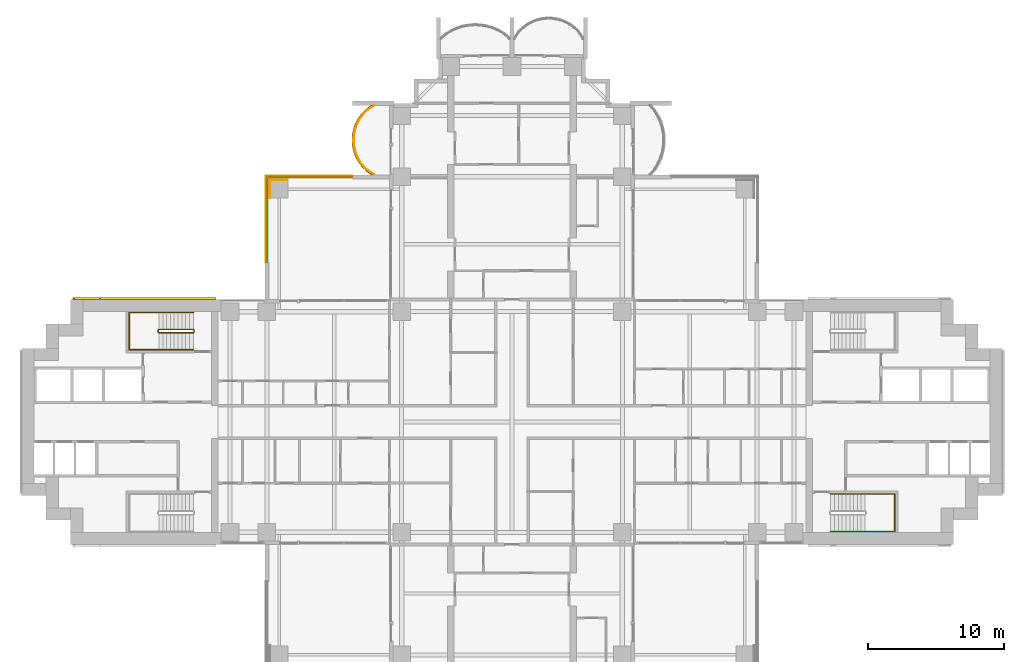
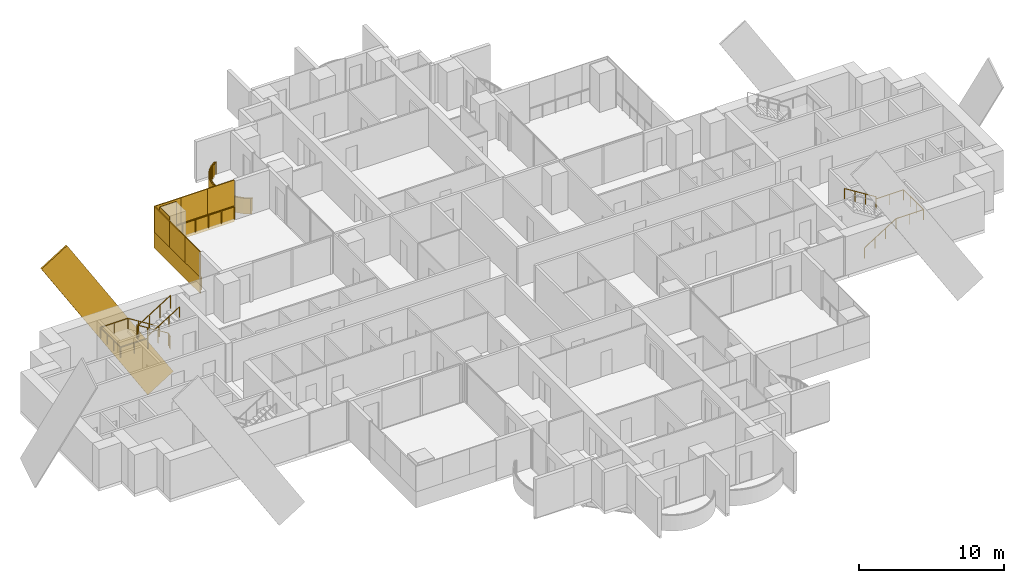
# One storey, part 20 of 22: 11 coverings, 5 railings.
"""IFC4 building model written with IfcOpenShell, lengths in metres."""

from ifc_helpers import new_model, si_unit, direction, frame, origin, origin_2d, place, context, subcontext, project, spatial, polyline, rectangle, outline, extrude, material, layer, layer_set, material_profile, profile_set, type_object, element, save


model = new_model("IFC4")

# Units and contexts
model_context = context("Model", 3, precision=1e-05, world=origin(), true_north=direction((0.0, 1.0)))
body_context = subcontext(model_context, "Body", "Model", "MODEL_VIEW")
ifc_project = project(units=[si_unit("LENGTHUNIT", "METRE"), si_unit("AREAUNIT", "SQUARE_METRE"), si_unit("VOLUMEUNIT", "CUBIC_METRE"), si_unit("PLANEANGLEUNIT", "RADIAN"), si_unit("MASSUNIT", "GRAM", prefix="KILO")], contexts=[model_context])

# Site, building, storey
site_placement = place(None, origin())
site = spatial("IfcSite", under=ifc_project, at=site_placement, CompositionType="ELEMENT")
building_placement = place(site_placement, origin())
building = spatial("IfcBuilding", under=site, at=building_placement, Name="Perihelion Cross Residences", CompositionType="ELEMENT")
storey_placement = place(building_placement, frame((0.0, 0.0, 50.5)))
storey = spatial("IfcBuildingStorey", under=building, at=storey_placement, Name="L09", CompositionType="ELEMENT", Elevation=50.5)

# Covering
ifc_material_1 = material(Name="Bronze anodised aluminium", Category="aluminium")
ifc_layer_1 = layer(ifc_material_1, 0.070068359375)
ifc_layer_set_1 = layer_set([ifc_layer_1], Name="Balcony fascia 1300")
covering_type_1 = type_object("IfcCoveringType", Name="Balcony fascia 1300", PredefinedType="CLADDING", material=ifc_layer_set_1)
covering_1_placement = place(storey_placement, frame((0.0, 0.0, -0.199951171875)))
element("IfcCovering", 1, at=covering_1_placement, inside=storey, type_object=covering_type_1, Name="Fascia BF1 L09 north side west bay 1", PredefinedType="CLADDING", context=body_context, shape_type="SweptSolid", body=[
    extrude(outline(polyline([(-10.722412109375, 22.963134765625), (-11.060791015625, 22.61474609375), (-11.308837890625, 22.2666015625), (-11.4912109375, 21.91845703125), (-11.620361328125, 21.5703125), (-11.703369140625, 21.22216796875), (-11.743896484375, 20.8740234375), (-11.743896484375, 20.52587890625), (-11.703369140625, 20.177734375), (-11.620361328125, 19.82958984375), (-11.4912109375, 19.4814453125), (-11.308837890625, 19.13330078125), (-11.060791015625, 18.78515625), (-10.722412109375, 18.43701171875), (-10.320556640625, 18.14990234375), (-10.199951171875, 18.14990234375), (-10.6767578125, 18.489990234375), (-11.007080078125, 18.830078125), (-11.2490234375, 19.169921875), (-11.42724609375, 19.510009765625), (-11.553466796875, 19.85009765625), (-11.63427734375, 20.18994140625), (-11.674072265625, 20.530029296875), (-11.674072265625, 20.8701171875), (-11.63427734375, 21.2099609375), (-11.553466796875, 21.550048828125), (-11.42724609375, 21.889892578125), (-11.2490234375, 22.22998046875), (-11.007080078125, 22.570068359375), (-10.6767578125, 22.909912109375), (-10.199951171875, 23.25), (-10.320556640625, 23.25), (-10.722412109375, 22.963134765625)])), origin(), (0.0, 0.0, 1.0), 1.300048828125),
])

# Railings
ifc_material_2 = material(Name="Bronze anodised aluminium", Category="aluminium")
railing_type_1 = type_object("IfcRailingType", Name="Balcony guard 1100", PredefinedType="GUARDRAIL", material=ifc_material_2)
railing_1_placement = place(storey_placement, frame((-10.139892578125, 23.22509765625, 0.0)))
element("IfcRailing", 2, at=railing_1_placement, inside=storey, type_object=railing_type_1, Name="Guard GU1 L09 north side west bay 1 balcony", PredefinedType="GUARDRAIL", context=body_context, shape_type="SweptSolid", body=[
    extrude(rectangle(XDim=0.048095703125, YDim=0.048095703125, at=origin_2d()), frame((0.0, 0.0, 1.076171875), z_axis=(-0.834212513801, -0.55144309028, 0.0), x_axis=(0.55144309028, -0.834212513801, 0.0)), (0.0, 0.0, 1.0), 0.571533203125),
    extrude(rectangle(XDim=0.048095703125, YDim=0.048095703125, at=origin_2d()), frame((-0.476806640625, -0.315185546875, 1.076171875), z_axis=(-0.696990112603, -0.717080736691, 0.0), x_axis=(0.717080736691, -0.696990112603, 0.0)), (0.0, 0.0, 1.0), 0.473876953125),
    extrude(rectangle(XDim=0.048095703125, YDim=0.048095703125, at=origin_2d()), frame((-0.80712890625, -0.655029296875, 1.076171875), z_axis=(-0.580075995532, -0.814562360662, 0.0), x_axis=(0.814562360662, -0.580075995532, 0.0)), (0.0, 0.0, 1.0), 0.41748046875),
    extrude(rectangle(XDim=0.048095703125, YDim=0.048095703125, at=origin_2d()), frame((-1.04931640625, -0.9951171875, 1.076171875), z_axis=(-0.463674228502, -0.886005761733, 0.0), x_axis=(0.886005761733, -0.463674228502, 0.0)), (0.0, 0.0, 1.0), 0.3837890625),
    extrude(rectangle(XDim=0.048095703125, YDim=0.048095703125, at=origin_2d()), frame((-1.227294921875, -1.335205078125, 1.076171875), z_axis=(-0.348169621027, -0.937431552165, 0.0), x_axis=(0.937431552165, -0.348169621027, 0.0)), (0.0, 0.0, 1.0), 0.362548828125),
    extrude(rectangle(XDim=0.048095703125, YDim=0.048095703125, at=origin_2d()), frame((-1.353515625, -1.675048828125, 1.076171875), z_axis=(-0.231840805498, -0.972753741142, 0.0), x_axis=(0.972753741142, -0.231840805498, 0.0)), (0.0, 0.0, 1.0), 0.349609375),
    extrude(rectangle(XDim=0.048095703125, YDim=0.048095703125, at=origin_2d()), frame((-1.4345703125, -2.01513671875, 1.076171875), z_axis=(-0.11559909788, -0.993295952156, 0.0), x_axis=(0.993295952156, -0.11559909788, 0.0)), (0.0, 0.0, 1.0), 0.342041015625),
    extrude(rectangle(XDim=0.048095703125, YDim=0.048095703125, at=origin_2d()), frame((-1.47412109375, -2.35498046875, 1.076171875), z_axis=(0.0, -1.0, 0.0), x_axis=(1.0, 0.0, 0.0)), (0.0, 0.0, 1.0), 0.340087890625),
    extrude(rectangle(XDim=0.048095703125, YDim=0.048095703125, at=origin_2d()), frame((-1.47412109375, -2.695068359375, 1.076171875), z_axis=(0.11551721994, -0.993305477634, 0.0), x_axis=(0.993305477634, 0.11551721994, 0.0)), (0.0, 0.0, 1.0), 0.34228515625),
    extrude(rectangle(XDim=0.048095703125, YDim=0.048095703125, at=origin_2d()), frame((-1.4345703125, -3.03515625, 1.076171875), z_axis=(0.231998396458, -0.972716168284, 0.0), x_axis=(0.972716168284, 0.231998396458, 0.0)), (0.0, 0.0, 1.0), 0.349365234375),
    extrude(rectangle(XDim=0.048095703125, YDim=0.048095703125, at=origin_2d()), frame((-1.353515625, -3.375, 1.076171875), z_axis=(0.347949948587, -0.93751311099, 0.0), x_axis=(0.93751311099, 0.347949948587, 0.0)), (0.0, 0.0, 1.0), 0.36279296875),
    extrude(rectangle(XDim=0.048095703125, YDim=0.048095703125, at=origin_2d()), frame((-1.227294921875, -3.715087890625, 1.076171875), z_axis=(0.463674228502, -0.886005761733, 0.0), x_axis=(0.886005761733, 0.463674228502, 0.0)), (0.0, 0.0, 1.0), 0.3837890625),
    extrude(rectangle(XDim=0.048095703125, YDim=0.048095703125, at=origin_2d()), frame((-1.04931640625, -4.05517578125, 1.076171875), z_axis=(0.580352394782, -0.814365457194, 0.0), x_axis=(0.814365457194, 0.580352394782, 0.0)), (0.0, 0.0, 1.0), 0.417236328125),
    extrude(rectangle(XDim=0.048095703125, YDim=0.048095703125, at=origin_2d()), frame((-0.80712890625, -4.39501953125, 1.076171875), z_axis=(0.69673269466, -0.717330852669, 0.0), x_axis=(0.717330852669, 0.69673269466, 0.0)), (0.0, 0.0, 1.0), 0.47412109375),
    extrude(rectangle(XDim=0.048095703125, YDim=0.048095703125, at=origin_2d()), frame((-0.476806640625, -4.735107421875, 1.076171875), z_axis=(0.834409002258, -0.551145731138, 0.0), x_axis=(0.551145731138, 0.834409002258, 0.0)), (0.0, 0.0, 1.0), 0.571533203125),
    extrude(rectangle(XDim=0.0419921875, YDim=0.0419921875, at=origin_2d()), origin(), (0.0, 0.0, 1.0), 1.052001953125),
    extrude(rectangle(XDim=0.0419921875, YDim=0.0419921875, at=origin_2d()), frame((-0.476806640625, -0.315185546875, 0.0)), (0.0, 0.0, 1.0), 1.052001953125),
    extrude(rectangle(XDim=0.0419921875, YDim=0.0419921875, at=origin_2d()), frame((-0.80712890625, -0.655029296875, 0.0)), (0.0, 0.0, 1.0), 1.052001953125),
    extrude(rectangle(XDim=0.0419921875, YDim=0.0419921875, at=origin_2d()), frame((-1.04931640625, -0.9951171875, 0.0)), (0.0, 0.0, 1.0), 1.052001953125),
    extrude(rectangle(XDim=0.0419921875, YDim=0.0419921875, at=origin_2d()), frame((-1.227294921875, -1.335205078125, 0.0)), (0.0, 0.0, 1.0), 1.052001953125),
    extrude(rectangle(XDim=0.0419921875, YDim=0.0419921875, at=origin_2d()), frame((-1.353515625, -1.675048828125, 0.0)), (0.0, 0.0, 1.0), 1.052001953125),
    extrude(rectangle(XDim=0.0419921875, YDim=0.0419921875, at=origin_2d()), frame((-1.4345703125, -2.01513671875, 0.0)), (0.0, 0.0, 1.0), 1.052001953125),
    extrude(rectangle(XDim=0.0419921875, YDim=0.0419921875, at=origin_2d()), frame((-1.47412109375, -2.35498046875, 0.0)), (0.0, 0.0, 1.0), 1.052001953125),
    extrude(rectangle(XDim=0.0419921875, YDim=0.0419921875, at=origin_2d()), frame((-1.47412109375, -2.695068359375, 0.0)), (0.0, 0.0, 1.0), 1.052001953125),
    extrude(rectangle(XDim=0.0419921875, YDim=0.0419921875, at=origin_2d()), frame((-1.4345703125, -3.03515625, 0.0)), (0.0, 0.0, 1.0), 1.052001953125),
    extrude(rectangle(XDim=0.0419921875, YDim=0.0419921875, at=origin_2d()), frame((-1.353515625, -3.375, 0.0)), (0.0, 0.0, 1.0), 1.052001953125),
    extrude(rectangle(XDim=0.0419921875, YDim=0.0419921875, at=origin_2d()), frame((-1.227294921875, -3.715087890625, 0.0)), (0.0, 0.0, 1.0), 1.052001953125),
    extrude(rectangle(XDim=0.0419921875, YDim=0.0419921875, at=origin_2d()), frame((-1.04931640625, -4.05517578125, 0.0)), (0.0, 0.0, 1.0), 1.052001953125),
    extrude(rectangle(XDim=0.0419921875, YDim=0.0419921875, at=origin_2d()), frame((-0.80712890625, -4.39501953125, 0.0)), (0.0, 0.0, 1.0), 1.052001953125),
    extrude(rectangle(XDim=0.0419921875, YDim=0.0419921875, at=origin_2d()), frame((-0.476806640625, -4.735107421875, 0.0)), (0.0, 0.0, 1.0), 1.052001953125),
    extrude(rectangle(XDim=0.0419921875, YDim=0.0419921875, at=origin_2d()), frame((0.0, -5.050048828125, 0.0)), (0.0, 0.0, 1.0), 1.052001953125),
])
railing_2_placement = place(storey_placement, frame((-17.93994140625, 11.739990234375, 0.0)))
element("IfcRailing", 3, at=railing_2_placement, inside=storey, type_object=railing_type_1, Name="Guard GU1 L09 pocket north-west 1", PredefinedType="GUARDRAIL", context=body_context, shape_type="SweptSolid", body=[
    extrude(rectangle(XDim=0.048095703125, YDim=0.048095703125, at=origin_2d()), frame((0.0, 0.0, 1.076171875), z_axis=(0.0, 1.0, 0.0), x_axis=(-1.0, 0.0, 0.0)), (0.0, 0.0, 1.0), 6.199951171875),
    extrude(rectangle(XDim=0.048095703125, YDim=0.048095703125, at=origin_2d()), frame((0.0, 6.199951171875, 1.076171875), z_axis=(1.0, 0.0, 0.0), x_axis=(0.0, 1.0, 0.0)), (0.0, 0.0, 1.0), 6.199951171875),
    extrude(rectangle(XDim=0.0419921875, YDim=0.0419921875, at=origin_2d()), origin(), (0.0, 0.0, 1.0), 1.052001953125),
    extrude(rectangle(XDim=0.0419921875, YDim=0.0419921875, at=origin_2d()), frame((0.0, 1.033203125, 0.0)), (0.0, 0.0, 1.0), 1.052001953125),
    extrude(rectangle(XDim=0.0419921875, YDim=0.0419921875, at=origin_2d()), frame((0.0, 2.066650390625, 0.0)), (0.0, 0.0, 1.0), 1.052001953125),
    extrude(rectangle(XDim=0.0419921875, YDim=0.0419921875, at=origin_2d()), frame((0.0, 3.10009765625, 0.0)), (0.0, 0.0, 1.0), 1.052001953125),
    extrude(rectangle(XDim=0.0419921875, YDim=0.0419921875, at=origin_2d()), frame((0.0, 4.13330078125, 0.0)), (0.0, 0.0, 1.0), 1.052001953125),
    extrude(rectangle(XDim=0.0419921875, YDim=0.0419921875, at=origin_2d()), frame((0.0, 5.16650390625, 0.0)), (0.0, 0.0, 1.0), 1.052001953125),
    extrude(rectangle(XDim=0.0419921875, YDim=0.0419921875, at=origin_2d()), frame((0.0, 6.199951171875, 0.0)), (0.0, 0.0, 1.0), 1.052001953125),
    extrude(rectangle(XDim=0.0419921875, YDim=0.0419921875, at=origin_2d()), frame((1.033203125, 6.199951171875, 0.0)), (0.0, 0.0, 1.0), 1.052001953125),
    extrude(rectangle(XDim=0.0419921875, YDim=0.0419921875, at=origin_2d()), frame((2.066650390625, 6.199951171875, 0.0)), (0.0, 0.0, 1.0), 1.052001953125),
    extrude(rectangle(XDim=0.0419921875, YDim=0.0419921875, at=origin_2d()), frame((3.10009765625, 6.199951171875, 0.0)), (0.0, 0.0, 1.0), 1.052001953125),
    extrude(rectangle(XDim=0.0419921875, YDim=0.0419921875, at=origin_2d()), frame((4.13330078125, 6.199951171875, 0.0)), (0.0, 0.0, 1.0), 1.052001953125),
    extrude(rectangle(XDim=0.0419921875, YDim=0.0419921875, at=origin_2d()), frame((5.16650390625, 6.199951171875, 0.0)), (0.0, 0.0, 1.0), 1.052001953125),
    extrude(rectangle(XDim=0.0419921875, YDim=0.0419921875, at=origin_2d()), frame((6.199951171875, 6.199951171875, 0.0)), (0.0, 0.0, 1.0), 1.052001953125),
])

# Coverings
ifc_material_3 = material(Name="Bronze anodised aluminium", Category="aluminium")
ifc_material_profile = material_profile(ifc_material_3, rectangle(XDim=0.125, YDim=2.39990234375, at=origin_2d()), Name="Bronze cladding band 2400")
ifc_profile_set = profile_set([ifc_material_profile], Name="Bronze anodised aluminium")
covering_type_2 = type_object("IfcCoveringType", Name="Bronze cladding band 2400", PredefinedType="CLADDING", material=ifc_profile_set)
covering_2_placement = place(storey_placement, frame((-22.767578125, 9.0625, -4.509765625), z_axis=(-0.529924750763, 0.0, 0.848044667767), x_axis=(0.0, -1.0, 0.0)))
element("IfcCovering", 4, at=covering_2_placement, inside=storey, type_object=covering_type_2, Name="Core cladding band, west core", PredefinedType="CLADDING", context=body_context, shape_type="SweptSolid", body=[
    extrude(rectangle(XDim=0.125, YDim=2.39990234375, at=origin_2d()), origin(), (0.0, 0.0, 1.0), 15.9736328125),
])
ifc_material_4 = material(Name="Bronze anodised aluminium", Category="aluminium")
ifc_layer_2 = layer(ifc_material_4, 0.0400390625)
ifc_layer_set_2 = layer_set([ifc_layer_2], Name="Bronze column casing 40")
covering_type_3 = type_object("IfcCoveringType", Name="Bronze column casing 40", PredefinedType="CLADDING", material=ifc_layer_set_2)
covering_3_placement = place(storey_placement, frame((-17.77001953125, 17.10009765625, -0.25), z_axis=(0.0, 0.0, 1.0), x_axis=(1.0, 0.0, 0.0)))
element("IfcCovering", 5, at=covering_3_placement, inside=storey, type_object=covering_type_3, Name="Cladding CC1 L09 casing east-west no. 2", PredefinedType="CLADDING", context=body_context, shape_type="SweptSolid", body=[
    extrude(rectangle(XDim=0.0400390625, YDim=1.3798828125, at=origin_2d()), origin(), (0.0, 0.0, 1.0), 3.5),
])
covering_4_placement = place(storey_placement, frame((-17.10009765625, 17.77001953125, -0.25), z_axis=(0.0, 0.0, 1.0), x_axis=(1.0, 0.0, 0.0)))
element("IfcCovering", 6, at=covering_4_placement, inside=storey, type_object=covering_type_3, Name="Cladding CC1 L09 casing north-south no. 2", PredefinedType="CLADDING", context=body_context, shape_type="SweptSolid", body=[
    extrude(rectangle(XDim=1.300048828125, YDim=0.0400390625, at=origin_2d()), origin(), (0.0, 0.0, 1.0), 3.5),
])
ifc_material_5 = material(Name="Bronze anodised aluminium", Category="aluminium")
ifc_layer_3 = layer(ifc_material_5, 0.070068359375)
ifc_layer_set_3 = layer_set([ifc_layer_3], Name="Pocket fascia 1350")
covering_type_4 = type_object("IfcCoveringType", Name="Pocket fascia 1350", PredefinedType="CLADDING", material=ifc_layer_set_3)
covering_5_placement = place(storey_placement, frame((0.0, 0.0, -0.25)))
element("IfcCovering", 7, at=covering_5_placement, inside=storey, type_object=covering_type_4, Name="Fascia BF2 L09 pocket north-west 3", PredefinedType="CLADDING", context=body_context, shape_type="SweptSolid", body=[
    extrude(outline(polyline([(-18.070068359375, 18.070068359375), (-18.070068359375, 11.699951171875), (-18.0, 11.699951171875), (-18.0, 18.0), (-11.699951171875, 18.0), (-11.699951171875, 18.070068359375), (-18.070068359375, 18.070068359375)])), origin(), (0.0, 0.0, 1.0), 1.35009765625),
])
ifc_material_6 = material(Name="Bronze perforated aluminium", Category="aluminium")
ifc_layer_4 = layer(ifc_material_6, 0.070068359375)
ifc_layer_set_4 = layer_set([ifc_layer_4], Name="Pocket solar screen, bronze perforated")
covering_type_5 = type_object("IfcCoveringType", Name="Pocket solar screen, bronze perforated", PredefinedType="CLADDING", material=ifc_layer_set_4)
covering_6_placement = place(storey_placement, frame((0.0, 0.0, 1.10009765625)))
element("IfcCovering", 8, at=covering_6_placement, inside=storey, type_object=covering_type_5, Name="Solar screen PS1 L09 pocket north-west no. 1", PredefinedType="CLADDING", context=body_context, shape_type="SweptSolid", body=[
    extrude(outline(polyline([(-18.0, 11.699951171875), (-18.0, 13.800048828125), (-18.070068359375, 13.800048828125), (-18.070068359375, 11.699951171875), (-18.0, 11.699951171875)])), origin(), (0.0, 0.0, 1.0), 2.14990234375),
])
covering_7_placement = place(storey_placement, frame((0.0, 0.0, 1.10009765625)))
element("IfcCovering", 9, at=covering_7_placement, inside=storey, type_object=covering_type_5, Name="Solar screen PS1 L09 pocket north-west no. 2", PredefinedType="CLADDING", context=body_context, shape_type="SweptSolid", body=[
    extrude(outline(polyline([(-18.0, 13.800048828125), (-18.0, 15.89990234375), (-18.070068359375, 15.89990234375), (-18.070068359375, 13.800048828125), (-18.0, 13.800048828125)])), origin(), (0.0, 0.0, 1.0), 2.14990234375),
])
covering_8_placement = place(storey_placement, frame((0.0, 0.0, 1.10009765625)))
element("IfcCovering", 10, at=covering_8_placement, inside=storey, type_object=covering_type_5, Name="Solar screen PS1 L09 pocket north-west no. 3", PredefinedType="CLADDING", context=body_context, shape_type="SweptSolid", body=[
    extrude(outline(polyline([(-18.0, 15.89990234375), (-18.0, 18.0), (-18.070068359375, 18.0), (-18.070068359375, 15.89990234375), (-18.0, 15.89990234375)])), origin(), (0.0, 0.0, 1.0), 2.14990234375),
])
covering_9_placement = place(storey_placement, frame((0.0, 0.0, 1.10009765625)))
element("IfcCovering", 11, at=covering_9_placement, inside=storey, type_object=covering_type_5, Name="Solar screen PS1 L09 pocket north-west no. 4", PredefinedType="CLADDING", context=body_context, shape_type="SweptSolid", body=[
    extrude(outline(polyline([(-15.94677734375, 18.0), (-15.94677734375, 18.070068359375), (-18.070068359375, 18.070068359375), (-18.070068359375, 18.0), (-15.94677734375, 18.0)])), origin(), (0.0, 0.0, 1.0), 2.14990234375),
])
covering_10_placement = place(storey_placement, frame((0.0, 0.0, 1.10009765625)))
element("IfcCovering", 12, at=covering_10_placement, inside=storey, type_object=covering_type_5, Name="Solar screen PS1 L09 pocket north-west no. 5", PredefinedType="CLADDING", context=body_context, shape_type="SweptSolid", body=[
    extrude(outline(polyline([(-13.8232421875, 18.0), (-13.8232421875, 18.070068359375), (-15.94677734375, 18.070068359375), (-15.94677734375, 18.0), (-13.8232421875, 18.0)])), origin(), (0.0, 0.0, 1.0), 2.14990234375),
])
covering_11_placement = place(storey_placement, frame((0.0, 0.0, 1.10009765625)))
element("IfcCovering", 13, at=covering_11_placement, inside=storey, type_object=covering_type_5, Name="Solar screen PS1 L09 pocket north-west no. 6", PredefinedType="CLADDING", context=body_context, shape_type="SweptSolid", body=[
    extrude(outline(polyline([(-11.699951171875, 18.0), (-11.699951171875, 18.070068359375), (-13.8232421875, 18.070068359375), (-13.8232421875, 18.0), (-11.699951171875, 18.0)])), origin(), (0.0, 0.0, 1.0), 2.14990234375),
])

# Railings
ifc_material_7 = material(Name="Stainless steel", Category="steel")
railing_type_2 = type_object("IfcRailingType", Name="Stair guard 1100", PredefinedType="GUARDRAIL", material=ifc_material_7)
railing_3_placement = place(storey_placement, frame((-23.35009765625, 6.60009765625, 0.0)))
element("IfcRailing", 14, at=railing_3_placement, inside=storey, type_object=railing_type_2, Name="L09 ST-W1 stair guard 1", PredefinedType="GUARDRAIL", context=body_context, shape_type="SweptSolid", body=[
    extrude(rectangle(XDim=0.048095703125, YDim=0.048095703125, at=origin_2d()), frame((0.0, 0.0, 1.076171875), z_axis=(0.0, 1.0, 0.0), x_axis=(-1.0, 0.0, 0.0)), (0.0, 0.0, 1.0), 0.14990234375),
    extrude(rectangle(XDim=0.048095703125, YDim=0.048095703125, at=origin_2d()), frame((0.0, 0.14990234375, 1.076171875), z_axis=(-0.263862480399, 0.265155923931, 0.927399011991), x_axis=(-0.708833529934, -0.705375805398, 0.0)), (0.0, 0.0, 1.0), 0.188720703125),
    extrude(rectangle(XDim=0.048095703125, YDim=0.048095703125, at=origin_2d()), frame((-0.0498046875, 0.199951171875, 1.2509765625), z_axis=(-0.848007534815, 0.0, 0.529984170421), x_axis=(0.0, -1.0, 0.0)), (0.0, 0.0, 1.0), 2.9716796875),
    extrude(rectangle(XDim=0.048095703125, YDim=0.048095703125, at=origin_2d()), frame((-2.56982421875, 0.199951171875, 2.826171875), z_axis=(-0.707106781187, -0.707106781187, 0.0), x_axis=(0.707106781187, -0.707106781187, 0.0)), (0.0, 0.0, 1.0), 0.07080078125),
    extrude(rectangle(XDim=0.048095703125, YDim=0.048095703125, at=origin_2d()), frame((-2.619873046875, 0.14990234375, 2.826171875), z_axis=(0.0, -1.0, 0.0), x_axis=(1.0, 0.0, 0.0)), (0.0, 0.0, 1.0), 0.14990234375),
    extrude(rectangle(XDim=0.048095703125, YDim=0.048095703125, at=origin_2d()), frame((-2.619873046875, 0.0, 2.826171875), z_axis=(0.265065253269, -0.265065253269, 0.927081885822), x_axis=(0.707106781187, 0.707106781187, 0.0)), (0.0, 0.0, 1.0), 0.188720703125),
    extrude(rectangle(XDim=0.048095703125, YDim=0.048095703125, at=origin_2d()), frame((-2.56982421875, -0.050048828125, 3.0009765625), z_axis=(0.848007534815, 0.0, 0.529984170421), x_axis=(0.0, 1.0, 0.0)), (0.0, 0.0, 1.0), 2.9716796875),
    extrude(rectangle(XDim=0.0419921875, YDim=0.0419921875, at=origin_2d()), origin(), (0.0, 0.0, 1.0), 1.052001953125),
    extrude(rectangle(XDim=0.0419921875, YDim=0.0419921875, at=origin_2d()), frame((0.0, 0.14990234375, 0.0)), (0.0, 0.0, 1.0), 1.052001953125),
    extrude(rectangle(XDim=0.0419921875, YDim=0.0419921875, at=origin_2d()), frame((-0.0498046875, 0.199951171875, 0.175048828125)), (0.0, 0.0, 1.0), 1.052001953125),
    extrude(rectangle(XDim=0.0419921875, YDim=0.0419921875, at=origin_2d()), frame((-0.889892578125, 0.199951171875, 0.699951171875)), (0.0, 0.0, 1.0), 1.052001953125),
    extrude(rectangle(XDim=0.0419921875, YDim=0.0419921875, at=origin_2d()), frame((-1.729736328125, 0.199951171875, 1.22509765625)), (0.0, 0.0, 1.0), 1.052001953125),
    extrude(rectangle(XDim=0.0419921875, YDim=0.0419921875, at=origin_2d()), frame((-2.56982421875, 0.199951171875, 1.75)), (0.0, 0.0, 1.0), 1.052001953125),
    extrude(rectangle(XDim=0.0419921875, YDim=0.0419921875, at=origin_2d()), frame((-2.619873046875, 0.14990234375, 1.75)), (0.0, 0.0, 1.0), 1.052001953125),
    extrude(rectangle(XDim=0.0419921875, YDim=0.0419921875, at=origin_2d()), frame((-2.619873046875, 0.0, 1.75)), (0.0, 0.0, 1.0), 1.052001953125),
    extrude(rectangle(XDim=0.0419921875, YDim=0.0419921875, at=origin_2d()), frame((-2.56982421875, -0.050048828125, 1.925048828125)), (0.0, 0.0, 1.0), 1.052001953125),
    extrude(rectangle(XDim=0.0419921875, YDim=0.0419921875, at=origin_2d()), frame((-1.729736328125, -0.050048828125, 2.449951171875)), (0.0, 0.0, 1.0), 1.052001953125),
    extrude(rectangle(XDim=0.0419921875, YDim=0.0419921875, at=origin_2d()), frame((-0.889892578125, -0.050048828125, 2.97509765625)), (0.0, 0.0, 1.0), 1.052001953125),
    extrude(rectangle(XDim=0.0419921875, YDim=0.0419921875, at=origin_2d()), frame((-0.0498046875, -0.050048828125, 3.5)), (0.0, 0.0, 1.0), 1.052001953125),
])
ifc_material_8 = material(Name="Stainless steel", Category="steel")
railing_type_3 = type_object("IfcRailingType", Name="Stair handrail 900", PredefinedType="HANDRAIL", material=ifc_material_8)
railing_4_placement = place(storey_placement, frame((23.39990234375, -8.050048828125, 0.175048828125)))
element("IfcRailing", 15, at=railing_4_placement, inside=storey, type_object=railing_type_3, Name="L09 ST-E2 stair handrail 1", PredefinedType="HANDRAIL", context=body_context, shape_type="SweptSolid", body=[
    extrude(rectangle(XDim=0.048095703125, YDim=0.048095703125, at=origin_2d()), frame((0.0, 0.0, 0.8759765625), z_axis=(0.848007534815, 0.0, 0.529984170421), x_axis=(0.0, 1.0, 0.0)), (0.0, 0.0, 1.0), 2.9716796875),
    extrude(rectangle(XDim=0.048095703125, YDim=0.048095703125, at=origin_2d()), frame((2.52001953125, 0.0, 2.45068359375), z_axis=(1.0, 0.0, 0.0), x_axis=(0.0, 1.0, 0.0)), (0.0, 0.0, 1.0), 2.18017578125),
    extrude(rectangle(XDim=0.048095703125, YDim=0.048095703125, at=origin_2d()), frame((4.7001953125, 0.0, 2.45068359375), z_axis=(0.0, 1.0, 0.0), x_axis=(-1.0, 0.0, 0.0)), (0.0, 0.0, 1.0), 2.75),
    extrude(rectangle(XDim=0.048095703125, YDim=0.048095703125, at=origin_2d()), frame((4.7001953125, 2.75, 2.45068359375), z_axis=(-1.0, 0.0, 0.0), x_axis=(0.0, -1.0, 0.0)), (0.0, 0.0, 1.0), 2.18017578125),
    extrude(rectangle(XDim=0.048095703125, YDim=0.048095703125, at=origin_2d()), frame((2.52001953125, 2.75, 2.45068359375), z_axis=(0.0, 0.0, 1.0), x_axis=(1.0, 0.0, 0.0)), (0.0, 0.0, 1.0), 0.175048828125),
    extrude(rectangle(XDim=0.048095703125, YDim=0.048095703125, at=origin_2d()), frame((2.52001953125, 2.75, 2.6259765625), z_axis=(-0.848007534815, 0.0, 0.529984170421), x_axis=(0.0, -1.0, 0.0)), (0.0, 0.0, 1.0), 2.9716796875),
    extrude(rectangle(XDim=0.0419921875, YDim=0.0419921875, at=origin_2d()), origin(), (0.0, 0.0, 1.0), 0.851806640625),
    extrude(rectangle(XDim=0.0419921875, YDim=0.0419921875, at=origin_2d()), frame((0.840087890625, 0.0, 0.52490234375)), (0.0, 0.0, 1.0), 0.851806640625),
    extrude(rectangle(XDim=0.0419921875, YDim=0.0419921875, at=origin_2d()), frame((1.679931640625, 0.0, 1.050048828125)), (0.0, 0.0, 1.0), 0.851806640625),
    extrude(rectangle(XDim=0.0419921875, YDim=0.0419921875, at=origin_2d()), frame((2.52001953125, 0.0, 1.574951171875)), (0.0, 0.0, 1.0), 0.851806640625),
    extrude(rectangle(XDim=0.0419921875, YDim=0.0419921875, at=origin_2d()), frame((3.610107421875, 0.0, 1.574951171875)), (0.0, 0.0, 1.0), 0.851806640625),
    extrude(rectangle(XDim=0.0419921875, YDim=0.0419921875, at=origin_2d()), frame((4.7001953125, 0.0, 1.574951171875)), (0.0, 0.0, 1.0), 0.851806640625),
    extrude(rectangle(XDim=0.0419921875, YDim=0.0419921875, at=origin_2d()), frame((4.7001953125, 0.916748046875, 1.574951171875)), (0.0, 0.0, 1.0), 0.851806640625),
    extrude(rectangle(XDim=0.0419921875, YDim=0.0419921875, at=origin_2d()), frame((4.7001953125, 1.833251953125, 1.574951171875)), (0.0, 0.0, 1.0), 0.851806640625),
    extrude(rectangle(XDim=0.0419921875, YDim=0.0419921875, at=origin_2d()), frame((4.7001953125, 2.75, 1.574951171875)), (0.0, 0.0, 1.0), 0.851806640625),
    extrude(rectangle(XDim=0.0419921875, YDim=0.0419921875, at=origin_2d()), frame((3.610107421875, 2.75, 1.574951171875)), (0.0, 0.0, 1.0), 0.851806640625),
    extrude(rectangle(XDim=0.0419921875, YDim=0.0419921875, at=origin_2d()), frame((2.52001953125, 2.75, 1.574951171875)), (0.0, 0.0, 1.0), 0.851806640625),
    extrude(rectangle(XDim=0.0419921875, YDim=0.0419921875, at=origin_2d()), frame((2.52001953125, 2.75, 1.75)), (0.0, 0.0, 1.0), 0.851806640625),
    extrude(rectangle(XDim=0.0419921875, YDim=0.0419921875, at=origin_2d()), frame((1.679931640625, 2.75, 2.27490234375)), (0.0, 0.0, 1.0), 0.851806640625),
    extrude(rectangle(XDim=0.0419921875, YDim=0.0419921875, at=origin_2d()), frame((0.840087890625, 2.75, 2.800048828125)), (0.0, 0.0, 1.0), 0.851806640625),
    extrude(rectangle(XDim=0.0419921875, YDim=0.0419921875, at=origin_2d()), frame((0.0, 2.75, 3.324951171875)), (0.0, 0.0, 1.0), 0.851806640625),
])
railing_5_placement = place(storey_placement, frame((-23.39990234375, 8.050048828125, 0.175048828125)))
element("IfcRailing", 16, at=railing_5_placement, inside=storey, type_object=railing_type_3, Name="L09 ST-W1 stair handrail 1", PredefinedType="HANDRAIL", context=body_context, shape_type="SweptSolid", body=[
    extrude(rectangle(XDim=0.048095703125, YDim=0.048095703125, at=origin_2d()), frame((0.0, 0.0, 0.8759765625), z_axis=(-0.848007534815, 0.0, 0.529984170421), x_axis=(0.0, -1.0, 0.0)), (0.0, 0.0, 1.0), 2.9716796875),
    extrude(rectangle(XDim=0.048095703125, YDim=0.048095703125, at=origin_2d()), frame((-2.52001953125, 0.0, 2.45068359375), z_axis=(-1.0, 0.0, 0.0), x_axis=(0.0, -1.0, 0.0)), (0.0, 0.0, 1.0), 2.18017578125),
    extrude(rectangle(XDim=0.048095703125, YDim=0.048095703125, at=origin_2d()), frame((-4.7001953125, 0.0, 2.45068359375), z_axis=(0.0, -1.0, 0.0), x_axis=(1.0, 0.0, 0.0)), (0.0, 0.0, 1.0), 2.75),
    extrude(rectangle(XDim=0.048095703125, YDim=0.048095703125, at=origin_2d()), frame((-4.7001953125, -2.75, 2.45068359375), z_axis=(1.0, 0.0, 0.0), x_axis=(0.0, 1.0, 0.0)), (0.0, 0.0, 1.0), 2.18017578125),
    extrude(rectangle(XDim=0.048095703125, YDim=0.048095703125, at=origin_2d()), frame((-2.52001953125, -2.75, 2.45068359375), z_axis=(0.0, 0.0, 1.0), x_axis=(1.0, 0.0, 0.0)), (0.0, 0.0, 1.0), 0.175048828125),
    extrude(rectangle(XDim=0.048095703125, YDim=0.048095703125, at=origin_2d()), frame((-2.52001953125, -2.75, 2.6259765625), z_axis=(0.848007534815, 0.0, 0.529984170421), x_axis=(0.0, 1.0, 0.0)), (0.0, 0.0, 1.0), 2.9716796875),
    extrude(rectangle(XDim=0.0419921875, YDim=0.0419921875, at=origin_2d()), origin(), (0.0, 0.0, 1.0), 0.851806640625),
    extrude(rectangle(XDim=0.0419921875, YDim=0.0419921875, at=origin_2d()), frame((-0.840087890625, 0.0, 0.52490234375)), (0.0, 0.0, 1.0), 0.851806640625),
    extrude(rectangle(XDim=0.0419921875, YDim=0.0419921875, at=origin_2d()), frame((-1.679931640625, 0.0, 1.050048828125)), (0.0, 0.0, 1.0), 0.851806640625),
    extrude(rectangle(XDim=0.0419921875, YDim=0.0419921875, at=origin_2d()), frame((-2.52001953125, 0.0, 1.574951171875)), (0.0, 0.0, 1.0), 0.851806640625),
    extrude(rectangle(XDim=0.0419921875, YDim=0.0419921875, at=origin_2d()), frame((-3.610107421875, 0.0, 1.574951171875)), (0.0, 0.0, 1.0), 0.851806640625),
    extrude(rectangle(XDim=0.0419921875, YDim=0.0419921875, at=origin_2d()), frame((-4.7001953125, 0.0, 1.574951171875)), (0.0, 0.0, 1.0), 0.851806640625),
    extrude(rectangle(XDim=0.0419921875, YDim=0.0419921875, at=origin_2d()), frame((-4.7001953125, -0.916748046875, 1.574951171875)), (0.0, 0.0, 1.0), 0.851806640625),
    extrude(rectangle(XDim=0.0419921875, YDim=0.0419921875, at=origin_2d()), frame((-4.7001953125, -1.833251953125, 1.574951171875)), (0.0, 0.0, 1.0), 0.851806640625),
    extrude(rectangle(XDim=0.0419921875, YDim=0.0419921875, at=origin_2d()), frame((-4.7001953125, -2.75, 1.574951171875)), (0.0, 0.0, 1.0), 0.851806640625),
    extrude(rectangle(XDim=0.0419921875, YDim=0.0419921875, at=origin_2d()), frame((-3.610107421875, -2.75, 1.574951171875)), (0.0, 0.0, 1.0), 0.851806640625),
    extrude(rectangle(XDim=0.0419921875, YDim=0.0419921875, at=origin_2d()), frame((-2.52001953125, -2.75, 1.574951171875)), (0.0, 0.0, 1.0), 0.851806640625),
    extrude(rectangle(XDim=0.0419921875, YDim=0.0419921875, at=origin_2d()), frame((-2.52001953125, -2.75, 1.75)), (0.0, 0.0, 1.0), 0.851806640625),
    extrude(rectangle(XDim=0.0419921875, YDim=0.0419921875, at=origin_2d()), frame((-1.679931640625, -2.75, 2.27490234375)), (0.0, 0.0, 1.0), 0.851806640625),
    extrude(rectangle(XDim=0.0419921875, YDim=0.0419921875, at=origin_2d()), frame((-0.840087890625, -2.75, 2.800048828125)), (0.0, 0.0, 1.0), 0.851806640625),
    extrude(rectangle(XDim=0.0419921875, YDim=0.0419921875, at=origin_2d()), frame((0.0, -2.75, 3.324951171875)), (0.0, 0.0, 1.0), 0.851806640625),
])

save(model, "model.ifc")
